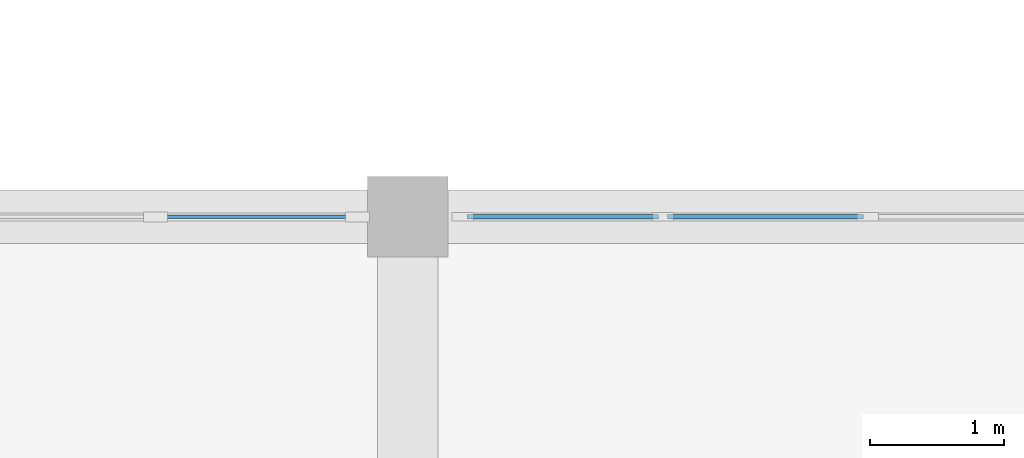
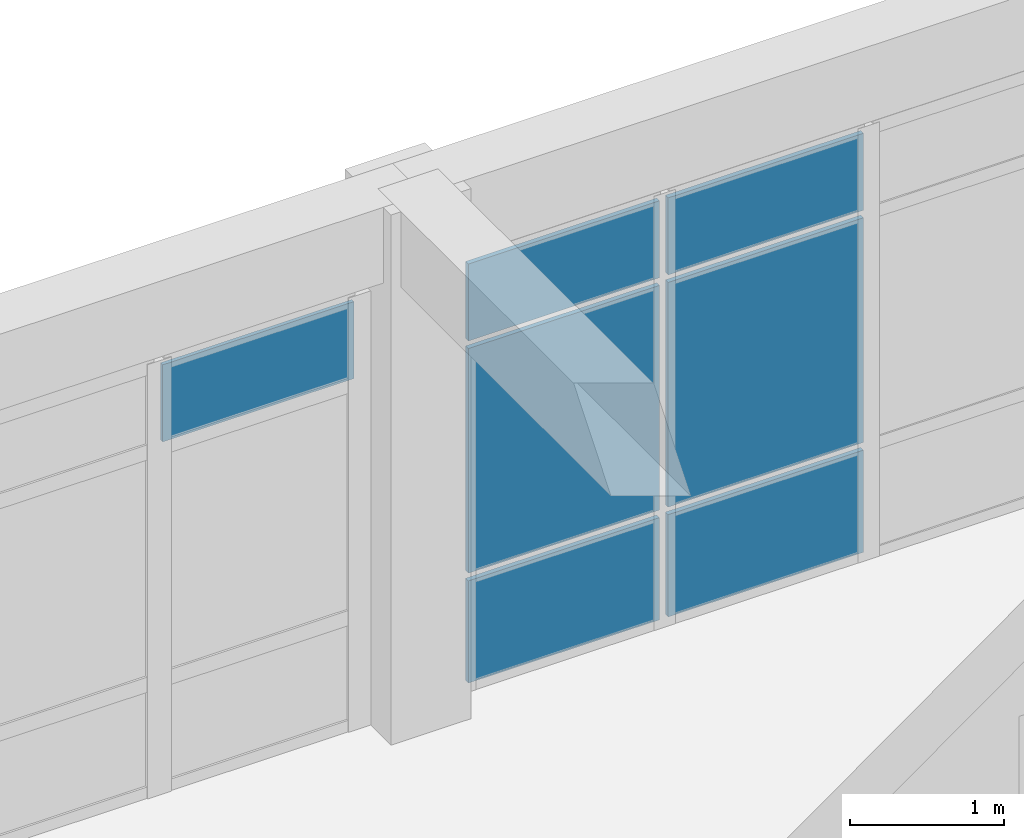
# One storey, part 37 of 77: 7 plates, 2 elements without a shape of their own.
"""IFC4 building model written with IfcOpenShell, lengths in metres."""

from ifc_helpers import new_model, si_unit, direction, frame, origin, origin_2d, place, context, subcontext, project, spatial, rectangle, extrude, material, layer, layer_set, type_object, element, aggregate, save


model = new_model("IFC4")

# Units and contexts
model_context = context("Model", 3, precision=1e-05, world=origin(), true_north=direction((0.0, 1.0)))
body_context = subcontext(model_context, "Body", "Model", "MODEL_VIEW")
ifc_project = project(units=[si_unit("LENGTHUNIT", "METRE"), si_unit("AREAUNIT", "SQUARE_METRE"), si_unit("VOLUMEUNIT", "CUBIC_METRE"), si_unit("PLANEANGLEUNIT", "RADIAN"), si_unit("MASSUNIT", "GRAM", prefix="KILO")], contexts=[model_context])

# Site, building, storey
site_placement = place(None, origin())
site = spatial("IfcSite", under=ifc_project, at=site_placement, CompositionType="ELEMENT")
building_placement = place(site_placement, origin())
building = spatial("IfcBuilding", under=site, at=building_placement, Name="Varncliffe General Hospital", CompositionType="ELEMENT")
storey_placement = place(building_placement, frame((0.0, 0.0, 16.199951171875)))
storey = spatial("IfcBuildingStorey", under=building, at=storey_placement, Name="L03", CompositionType="ELEMENT", Elevation=16.199951171875)

# Curtain wall, plates
ifc_material = material(Name="Triple low-E argon insulated vision glazing", Category="glass")
curtain_wall_type_1 = type_object("IfcCurtainWallType", Name="Unitised Glazed Curtain Wall CW69 (7644x3440)", PredefinedType="USERDEFINED", material=ifc_material)
curtain_wall_1_placement = place(storey_placement, origin())
curtain_wall_1 = element("IfcCurtainWall", 1, at=curtain_wall_1_placement, inside=storey, type_object=curtain_wall_type_1, Name="L03 Glazed Curtain Wall CW69-155", ObjectType="GLAZED CURTAIN WALL", PredefinedType="USERDEFINED")
ifc_layer_1 = layer(ifc_material, 0.035888671875)
ifc_layer_set_1 = layer_set([ifc_layer_1], Name="Triple low-E argon insulated vision glazing")
plate_type_1 = type_object("IfcPlateType", Name="Curtain Wall Glazing Panel CP27 (36mm)", PredefinedType="CURTAIN_PANEL", material=ifc_layer_set_1)
plate_1_placement = place(storey_placement, frame((85.15869140625, 108.0, 0.06005859375), z_axis=(0.0, 0.0, 1.0), x_axis=(1.0, 0.0, 0.0)))
plate_1 = element("IfcPlate", 2, at=plate_1_placement, type_object=plate_type_1, Name="CW69 panel 1.1", PredefinedType="CURTAIN_PANEL", context=body_context, shape_type="SweptSolid", body=[
    extrude(rectangle(XDim=1.431396484375, YDim=0.035888671875, at=origin_2d()), origin(), (0.0, 0.0, 1.0), 0.81005859375),
])
plate_2_placement = place(storey_placement, frame((85.15869140625, 108.0, 0.93017578125), z_axis=(0.0, 0.0, 1.0), x_axis=(1.0, 0.0, 0.0)))
plate_2 = element("IfcPlate", 3, at=plate_2_placement, type_object=plate_type_1, Name="CW69 panel 1.2", PredefinedType="CURTAIN_PANEL", context=body_context, shape_type="SweptSolid", body=[
    extrude(rectangle(XDim=1.431396484375, YDim=0.035888671875, at=origin_2d()), origin(), (0.0, 0.0, 1.0), 1.780029296875),
])
plate_3_placement = place(storey_placement, frame((85.15869140625, 108.0, 2.77001953125), z_axis=(0.0, 0.0, 1.0), x_axis=(1.0, 0.0, 0.0)))
plate_3 = element("IfcPlate", 4, at=plate_3_placement, type_object=plate_type_1, Name="CW69 panel 1.3", PredefinedType="CURTAIN_PANEL", context=body_context, shape_type="SweptSolid", body=[
    extrude(rectangle(XDim=1.431396484375, YDim=0.035888671875, at=origin_2d()), origin(), (0.0, 0.0, 1.0), 0.610107421875),
])
plate_4_placement = place(storey_placement, frame((86.671142578125, 108.0, 0.06005859375), z_axis=(0.0, 0.0, 1.0), x_axis=(1.0, 0.0, 0.0)))
plate_4 = element("IfcPlate", 5, at=plate_4_placement, type_object=plate_type_1, Name="CW69 panel 2.1", PredefinedType="CURTAIN_PANEL", context=body_context, shape_type="SweptSolid", body=[
    extrude(rectangle(XDim=1.4638671875, YDim=0.035888671875, at=origin_2d()), origin(), (0.0, 0.0, 1.0), 0.81005859375),
])
plate_5_placement = place(storey_placement, frame((86.671142578125, 108.0, 0.93017578125), z_axis=(0.0, 0.0, 1.0), x_axis=(1.0, 0.0, 0.0)))
plate_5 = element("IfcPlate", 6, at=plate_5_placement, type_object=plate_type_1, Name="CW69 panel 2.2", PredefinedType="CURTAIN_PANEL", context=body_context, shape_type="SweptSolid", body=[
    extrude(rectangle(XDim=1.4638671875, YDim=0.035888671875, at=origin_2d()), origin(), (0.0, 0.0, 1.0), 1.780029296875),
])
plate_6_placement = place(storey_placement, frame((86.671142578125, 108.0, 2.77001953125), z_axis=(0.0, 0.0, 1.0), x_axis=(1.0, 0.0, 0.0)))
plate_6 = element("IfcPlate", 7, at=plate_6_placement, type_object=plate_type_1, Name="CW69 panel 2.3", PredefinedType="CURTAIN_PANEL", context=body_context, shape_type="SweptSolid", body=[
    extrude(rectangle(XDim=1.4638671875, YDim=0.035888671875, at=origin_2d()), origin(), (0.0, 0.0, 1.0), 0.610107421875),
])
aggregate(curtain_wall_1, [plate_1, plate_2, plate_3, plate_4, plate_5, plate_6])

# Curtain wall, plate
curtain_wall_type_2 = type_object("IfcCurtainWallType", Name="Unitised Glazed Curtain Wall CW79 (7724x3440)", PredefinedType="USERDEFINED", material=ifc_material)
curtain_wall_2_placement = place(storey_placement, origin())
curtain_wall_2 = element("IfcCurtainWall", 8, at=curtain_wall_2_placement, inside=storey, type_object=curtain_wall_type_2, Name="L03 Glazed Curtain Wall CW79-154", ObjectType="GLAZED CURTAIN WALL", PredefinedType="USERDEFINED")
ifc_layer_2 = layer(ifc_material, 0.028076171875)
ifc_layer_set_2 = layer_set([ifc_layer_2], Name="Triple low-E argon insulated vision glazing")
plate_type_2 = type_object("IfcPlateType", Name="Curtain Wall Glazing Panel CP48 (28mm)", PredefinedType="CURTAIN_PANEL", material=ifc_layer_set_2)
plate_7_placement = place(storey_placement, frame((82.870849609375, 108.0, 2.77001953125), z_axis=(0.0, 0.0, 1.0), x_axis=(1.0, 0.0, 0.0)))
plate_7 = element("IfcPlate", 9, at=plate_7_placement, type_object=plate_type_2, Name="CW79 panel 5.3", PredefinedType="CURTAIN_PANEL", context=body_context, shape_type="SweptSolid", body=[
    extrude(rectangle(XDim=1.432373046875, YDim=0.028076171875, at=origin_2d()), origin(), (0.0, 0.0, 1.0), 0.610107421875),
])
aggregate(curtain_wall_2, [plate_7])

save(model, "model.ifc")
